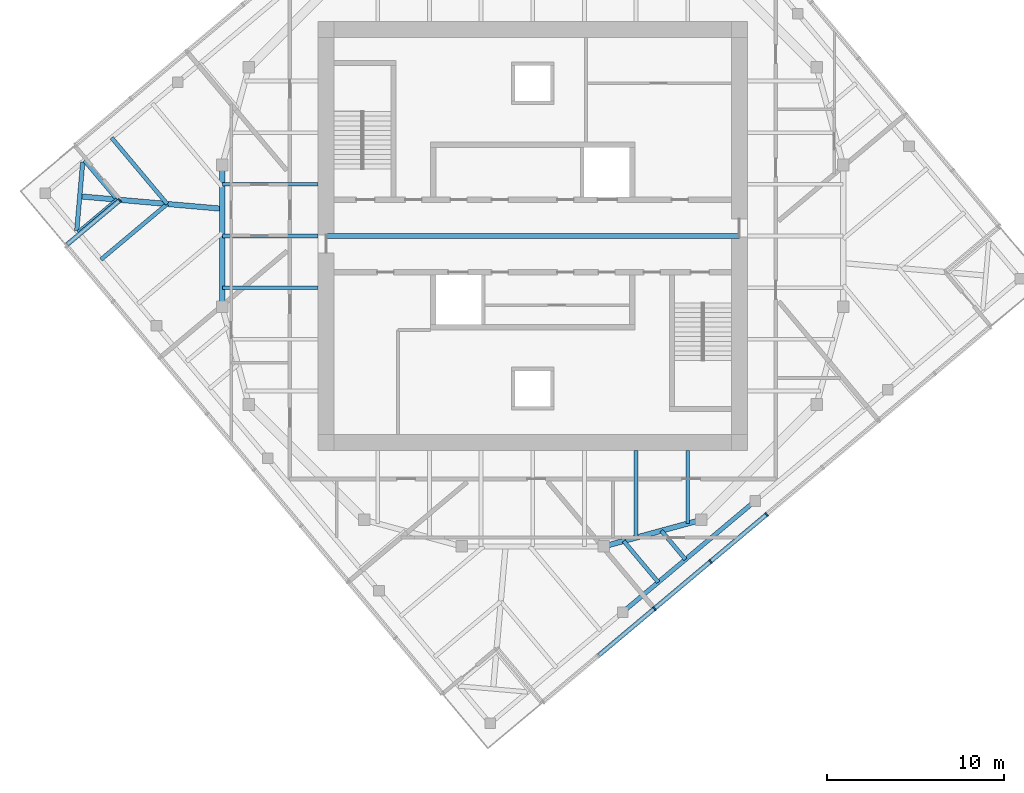
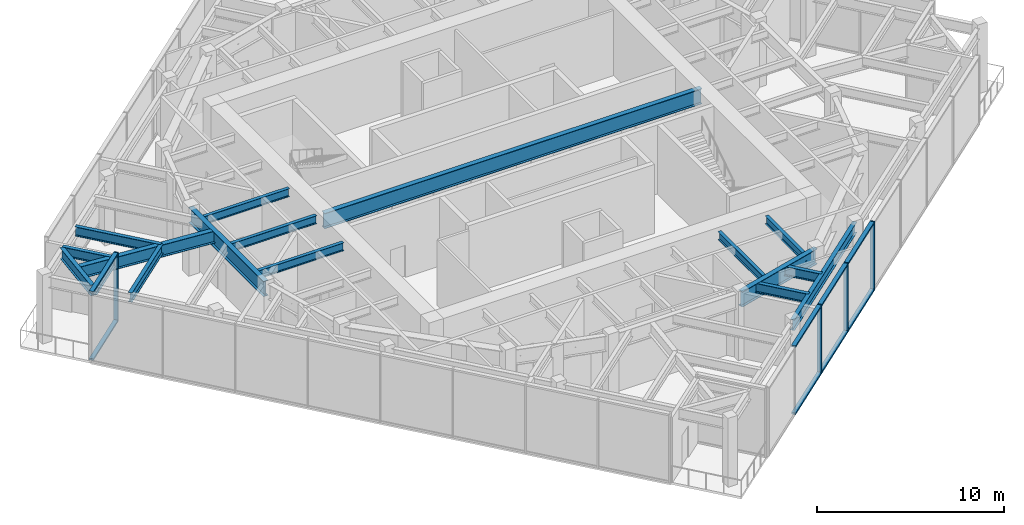
# One storey, part 3 of 11: 17 beams, 12 members, 2 elements without a shape of their own.
"""IFC4 building model written with IfcOpenShell, lengths in metres."""

from ifc_helpers import new_model, si_unit, direction, frame, origin, origin_2d, place, context, subcontext, project, spatial, rectangle, i_section, extrude, material, material_profile, profile_set, type_object, element, aggregate, save


model = new_model("IFC4")

# Units and contexts
model_context = context("Model", 3, precision=1e-05, world=origin(), true_north=direction((0.0, 1.0)))
body_context = subcontext(model_context, "Body", "Model", "MODEL_VIEW")
ifc_project = project(units=[si_unit("LENGTHUNIT", "METRE"), si_unit("AREAUNIT", "SQUARE_METRE"), si_unit("VOLUMEUNIT", "CUBIC_METRE"), si_unit("PLANEANGLEUNIT", "RADIAN"), si_unit("MASSUNIT", "GRAM", prefix="KILO")], contexts=[model_context])

# Site, building, storey
site_placement = place(None, origin())
site = spatial("IfcSite", under=ifc_project, at=site_placement, CompositionType="ELEMENT")
building_placement = place(site_placement, origin())
building = spatial("IfcBuilding", under=site, at=building_placement, Name="Torsade Residences", CompositionType="ELEMENT")
storey_placement = place(building_placement, frame((0.0, 0.0, 304.300048828125)))
storey = spatial("IfcBuildingStorey", under=building, at=storey_placement, Name="L84", CompositionType="ELEMENT", Elevation=304.300048828125)

# Beams
ifc_material_1 = material(Name="Steel grade 300", Category="steel")
ifc_material_profile_1 = material_profile(ifc_material_1, i_section(OverallWidth=0.300048828125, OverallDepth=0.800048828125, WebThickness=0.010009765625, FlangeThickness=0.02001953125, at=origin_2d()), Name="800WB146")
ifc_profile_set_1 = profile_set([ifc_material_profile_1], Name="Steel grade 300")
beam_type_1 = type_object("IfcBeamType", Name="CORNER GIRDER 800WB146", PredefinedType="BEAM", material=ifc_profile_set_1)
beam_1_placement = place(storey_placement, frame((14.46484375, 32.234130859375, 3.849853515625), z_axis=(0.996193191806, -0.087172957961, 0.0), x_axis=(0.087172957961, 0.996193191806, 0.0)))
element("IfcBeam", 1, at=beam_1_placement, inside=storey, type_object=beam_type_1, Name="Corner girder 13 RF", PredefinedType="BEAM", context=body_context, shape_type="SweptSolid", body=[
    extrude(i_section(OverallWidth=0.300048828125, OverallDepth=0.800048828125, WebThickness=0.010009765625, FlangeThickness=0.02001953125, at=origin_2d()), origin(), (0.0, 0.0, 1.0), 8.06591796875),
])
ifc_material_2 = material(Name="Steel grade 300", Category="steel")
ifc_material_profile_2 = material_profile(ifc_material_2, i_section(OverallWidth=0.25, OverallDepth=0.699951171875, WebThickness=0.010009765625, FlangeThickness=0.02001953125, at=origin_2d()), Name="700WB130")
ifc_profile_set_2 = profile_set([ifc_material_profile_2], Name="Steel grade 300")
beam_type_2 = type_object("IfcBeamType", Name="CORNER TRIMMER 700WB130", PredefinedType="BEAM", material=ifc_profile_set_2)
beam_2_placement = place(storey_placement, frame((14.29541015625, 30.296875, 3.89990234375), z_axis=(0.087133464362, 0.996196646947, 0.0), x_axis=(-0.996196646947, 0.087133464362, 0.0)))
element("IfcBeam", 2, at=beam_2_placement, inside=storey, type_object=beam_type_2, Name="Corner trimmer 13 RF", PredefinedType="BEAM", context=body_context, shape_type="SweptSolid", body=[
    extrude(i_section(OverallWidth=0.25, OverallDepth=0.699951171875, WebThickness=0.010009765625, FlangeThickness=0.02001953125, at=origin_2d()), origin(), (0.0, 0.0, 1.0), 3.88916015625),
])
ifc_material_3 = material(Name="Steel grade 300", Category="steel")
ifc_material_profile_3 = material_profile(ifc_material_3, i_section(OverallWidth=0.25, OverallDepth=0.699951171875, WebThickness=0.010009765625, FlangeThickness=0.02001953125, at=origin_2d()), Name="700WB130")
ifc_profile_set_3 = profile_set([ifc_material_profile_3], Name="Steel grade 300")
beam_type_3 = type_object("IfcBeamType", Name="EDGE BEAM 700WB130", PredefinedType="SPANDREL", material=ifc_profile_set_3)
beam_3_placement = place(storey_placement, frame((45.0654296875, 8.794921875, 3.89990234375), z_axis=(0.766051532934, 0.642779160279, 0.0), x_axis=(-0.642779160279, 0.766051532934, 0.0)))
element("IfcBeam", 3, at=beam_3_placement, inside=storey, type_object=beam_type_3, Name="Edge beam 02 RF", PredefinedType="SPANDREL", context=body_context, shape_type="SweptSolid", body=[
    extrude(i_section(OverallWidth=0.25, OverallDepth=0.699951171875, WebThickness=0.010009765625, FlangeThickness=0.02001953125, at=origin_2d()), origin(), (0.0, 0.0, 1.0), 9.75),
])
ifc_material_4 = material(Name="Steel grade 300", Category="steel")
ifc_material_profile_4 = material_profile(ifc_material_4, i_section(OverallWidth=0.208984375, OverallDepth=0.528076171875, WebThickness=0.009521484375, FlangeThickness=0.01318359375, FilletRadius=0.013916015625, at=origin_2d()), Name="530UB82.0")
ifc_profile_set_4 = profile_set([ifc_material_profile_4], Name="Steel grade 300")
beam_type_4 = type_object("IfcBeamType", Name="INNER FLOOR BEAM 530UB82.0", PredefinedType="JOIST", material=ifc_profile_set_4)
beam_4_placement = place(storey_placement, frame((48.737548828125, 17.89990234375, 3.98583984375), z_axis=(0.0, -1.0, 0.0), x_axis=(1.0, 0.0, 0.0)))
element("IfcBeam", 4, at=beam_4_placement, inside=storey, type_object=beam_type_4, Name="Inner floor beam IS01 RF", PredefinedType="JOIST", context=body_context, shape_type="SweptSolid", body=[
    extrude(i_section(OverallWidth=0.208984375, OverallDepth=0.528076171875, WebThickness=0.009521484375, FlangeThickness=0.01318359375, FilletRadius=0.013916015625, at=origin_2d()), origin(), (0.0, 0.0, 1.0), 4.10791015625),
])
beam_5_placement = place(storey_placement, frame((45.824951171875, 17.89990234375, 3.98583984375), z_axis=(0.0, -1.0, 0.0), x_axis=(1.0, 0.0, 0.0)))
element("IfcBeam", 5, at=beam_5_placement, inside=storey, type_object=beam_type_4, Name="Inner floor beam IS02 RF", PredefinedType="JOIST", context=body_context, shape_type="SweptSolid", body=[
    extrude(i_section(OverallWidth=0.208984375, OverallDepth=0.528076171875, WebThickness=0.009521484375, FlangeThickness=0.01318359375, FilletRadius=0.013916015625, at=origin_2d()), origin(), (0.0, 0.0, 1.0), 4.902099609375),
])
for number, where, z_axis, x_axis, name in (
    (6, (27.89990234375, 32.91259765625, 3.98583984375), (-1.0, 0.0, 0.0), (0.0, -1.0, 0.0), "Inner floor beam IW03 RF"),
    (7, (27.89990234375, 30.0, 3.98583984375), (-1.0, 0.0, 0.0), (0.0, -1.0, 0.0), "Inner floor beam IW04 RF"),
    (8, (27.89990234375, 27.08740234375, 3.98583984375), (-1.0, 0.0, 0.0), (0.0, -1.0, 0.0), "Inner floor beam IW05 RF"),
):
    element("IfcBeam", number, at=place(storey_placement, frame(where, z_axis=z_axis, x_axis=x_axis)), inside=storey, type_object=beam_type_4, Name=name, PredefinedType="JOIST", context=body_context, shape_type="SweptSolid", body=[
        extrude(i_section(OverallWidth=0.208984375, OverallDepth=0.528076171875, WebThickness=0.009521484375, FlangeThickness=0.01318359375, FilletRadius=0.013916015625, at=origin_2d()), origin(), (0.0, 0.0, 1.0), 5.39990234375),
    ])

# Curtain wall, members
ifc_material_5 = material(Name="Aluminium and glass", Category="aluminium")
curtain_wall_type = type_object("IfcCurtainWallType", Name="PLANT LEVEL LOUVRED CURTAIN WALL", PredefinedType="NOTDEFINED", material=ifc_material_5)
curtain_wall_1_placement = place(storey_placement, origin())
curtain_wall_1 = element("IfcCurtainWall", 9, at=curtain_wall_1_placement, inside=storey, type_object=curtain_wall_type, Name="Curtain wall L84 face 1", PredefinedType="NOTDEFINED")
ifc_material_6 = material(Name="Aluminium mullion", Category="aluminium")
ifc_material_profile_5 = material_profile(ifc_material_6, rectangle(XDim=0.25, YDim=0.080078125, at=origin_2d()), Name="LOUVRE WALL MULLION 250x80")
ifc_profile_set_5 = profile_set([ifc_material_profile_5], Name="Aluminium mullion")
member_type_1 = type_object("IfcMemberType", Name="LOUVRE WALL MULLION 250x80", PredefinedType="MULLION", material=ifc_profile_set_5)
member_1_placement = place(storey_placement, frame((46.857177734375, 8.9931640625, 0.0), z_axis=(0.0, 0.0, 1.0), x_axis=(-0.642787616853, 0.766044437106, 0.0)))
member_1 = element("IfcMember", 10, at=member_1_placement, type_object=member_type_1, Name="Mullion 3", PredefinedType="MULLION", context=body_context, shape_type="SweptSolid", body=[
    extrude(rectangle(XDim=0.25, YDim=0.080078125, at=origin_2d()), origin(), (0.0, 0.0, 1.0), 4.5),
])
member_2_placement = place(storey_placement, frame((50.017333984375, 11.64453125, 0.0), z_axis=(0.0, 0.0, 1.0), x_axis=(-0.642787616853, 0.766044437106, 0.0)))
member_2 = element("IfcMember", 11, at=member_2_placement, type_object=member_type_1, Name="Mullion 4", PredefinedType="MULLION", context=body_context, shape_type="SweptSolid", body=[
    extrude(rectangle(XDim=0.25, YDim=0.080078125, at=origin_2d()), origin(), (0.0, 0.0, 1.0), 4.5),
])
member_3_placement = place(storey_placement, frame((53.17724609375, 14.296142578125, 0.0), z_axis=(0.0, 0.0, 1.0), x_axis=(-0.642787616853, 0.766044437106, 0.0)))
member_3 = element("IfcMember", 12, at=member_3_placement, type_object=member_type_1, Name="Mullion 5", PredefinedType="MULLION", context=body_context, shape_type="SweptSolid", body=[
    extrude(rectangle(XDim=0.25, YDim=0.080078125, at=origin_2d()), origin(), (0.0, 0.0, 1.0), 4.5),
])

# Curtain wall, member
curtain_wall_2_placement = place(storey_placement, origin())
curtain_wall_2 = element("IfcCurtainWall", 13, at=curtain_wall_2_placement, inside=storey, type_object=curtain_wall_type, Name="Curtain wall L84 face 9", PredefinedType="NOTDEFINED")
member_4_placement = place(storey_placement, frame((16.7236328125, 32.008056640625, 0.0), z_axis=(0.0, 0.0, 1.0), x_axis=(0.642787664022, -0.766044397526, 0.0)))
member_4 = element("IfcMember", 14, at=member_4_placement, type_object=member_type_1, Name="Mullion 1", PredefinedType="MULLION", context=body_context, shape_type="SweptSolid", body=[
    extrude(rectangle(XDim=0.25, YDim=0.080078125, at=origin_2d()), origin(), (0.0, 0.0, 1.0), 4.5),
])

# Member
ifc_material_7 = material(Name="Aluminium transom", Category="aluminium")
ifc_material_profile_6 = material_profile(ifc_material_7, rectangle(XDim=0.25, YDim=0.110107421875, at=origin_2d()), Name="LOUVRE WALL TRANSOM 250x110")
ifc_profile_set_6 = profile_set([ifc_material_profile_6], Name="Aluminium transom")
member_type_2 = type_object("IfcMemberType", Name="LOUVRE WALL TRANSOM 250x110", PredefinedType="USERDEFINED", material=ifc_profile_set_6)
member_5_placement = place(storey_placement, frame((43.72802734375, 6.3671875, 0.054931640625), z_axis=(0.766040060023, 0.642792833221, 0.0), x_axis=(-0.642792833221, 0.766040060023, 0.0)))
member_5 = element("IfcMember", 15, at=member_5_placement, type_object=member_type_2, Name="Transom 2.1", ObjectType="TRANSOM", PredefinedType="USERDEFINED", context=body_context, shape_type="SweptSolid", body=[
    extrude(rectangle(XDim=0.25, YDim=0.110107421875, at=origin_2d()), origin(), (0.0, 0.0, 1.0), 4.044921875),
])

member_6_placement = place(storey_placement, frame((43.72802734375, 6.3671875, 4.445068359375), z_axis=(0.766040060023, 0.642792833221, 0.0), x_axis=(-0.642792833221, 0.766040060023, 0.0)))
member_6 = element("IfcMember", 16, at=member_6_placement, type_object=member_type_2, Name="Transom 2.2", ObjectType="TRANSOM", PredefinedType="USERDEFINED", context=body_context, shape_type="SweptSolid", body=[
    extrude(rectangle(XDim=0.25, YDim=0.110107421875, at=origin_2d()), origin(), (0.0, 0.0, 1.0), 4.044921875),
])

member_7_placement = place(storey_placement, frame((46.887939453125, 9.018798828125, 0.054931640625), z_axis=(0.766040060023, 0.642792833221, 0.0), x_axis=(-0.642792833221, 0.766040060023, 0.0)))
member_7 = element("IfcMember", 17, at=member_7_placement, type_object=member_type_2, Name="Transom 3.1", ObjectType="TRANSOM", PredefinedType="USERDEFINED", context=body_context, shape_type="SweptSolid", body=[
    extrude(rectangle(XDim=0.25, YDim=0.110107421875, at=origin_2d()), origin(), (0.0, 0.0, 1.0), 4.044921875),
])

member_8_placement = place(storey_placement, frame((46.887939453125, 9.018798828125, 4.445068359375), z_axis=(0.766040060023, 0.642792833221, 0.0), x_axis=(-0.642792833221, 0.766040060023, 0.0)))
member_8 = element("IfcMember", 18, at=member_8_placement, type_object=member_type_2, Name="Transom 3.2", ObjectType="TRANSOM", PredefinedType="USERDEFINED", context=body_context, shape_type="SweptSolid", body=[
    extrude(rectangle(XDim=0.25, YDim=0.110107421875, at=origin_2d()), origin(), (0.0, 0.0, 1.0), 4.044921875),
])

member_9_placement = place(storey_placement, frame((50.0478515625, 11.67041015625, 0.054931640625), z_axis=(0.766069780023, 0.642757413132, 0.0), x_axis=(-0.642757413132, 0.766069780023, 0.0)))
member_9 = element("IfcMember", 19, at=member_9_placement, type_object=member_type_2, Name="Transom 4.1", ObjectType="TRANSOM", PredefinedType="USERDEFINED", context=body_context, shape_type="SweptSolid", body=[
    extrude(rectangle(XDim=0.25, YDim=0.110107421875, at=origin_2d()), origin(), (0.0, 0.0, 1.0), 4.044921875),
])

member_10_placement = place(storey_placement, frame((50.0478515625, 11.67041015625, 4.445068359375), z_axis=(0.766069780023, 0.642757413132, 0.0), x_axis=(-0.642757413132, 0.766069780023, 0.0)))
member_10 = element("IfcMember", 20, at=member_10_placement, type_object=member_type_2, Name="Transom 4.2", ObjectType="TRANSOM", PredefinedType="USERDEFINED", context=body_context, shape_type="SweptSolid", body=[
    extrude(rectangle(XDim=0.25, YDim=0.110107421875, at=origin_2d()), origin(), (0.0, 0.0, 1.0), 4.044921875),
])

aggregate(curtain_wall_1, [member_1, member_2, member_3, member_5, member_6, member_7, member_8, member_9, member_10])

member_11_placement = place(storey_placement, frame((16.69287109375, 31.982421875, 0.054931640625), z_axis=(-0.765996615953, -0.642844603577, 0.0), x_axis=(0.642844603577, -0.765996615953, 0.0)))
member_11 = element("IfcMember", 21, at=member_11_placement, type_object=member_type_2, Name="Transom 1.1", ObjectType="TRANSOM", PredefinedType="USERDEFINED", context=body_context, shape_type="SweptSolid", body=[
    extrude(rectangle(XDim=0.25, YDim=0.110107421875, at=origin_2d()), origin(), (0.0, 0.0, 1.0), 3.840087890625),
])

member_12_placement = place(storey_placement, frame((16.69287109375, 31.982421875, 4.445068359375), z_axis=(-0.765996615953, -0.642844603577, 0.0), x_axis=(0.642844603577, -0.765996615953, 0.0)))
member_12 = element("IfcMember", 22, at=member_12_placement, type_object=member_type_2, Name="Transom 1.2", ObjectType="TRANSOM", PredefinedType="USERDEFINED", context=body_context, shape_type="SweptSolid", body=[
    extrude(rectangle(XDim=0.25, YDim=0.110107421875, at=origin_2d()), origin(), (0.0, 0.0, 1.0), 3.840087890625),
])

aggregate(curtain_wall_2, [member_4, member_11, member_12])

# Beams
ifc_material_8 = material(Name="Steel grade 300", Category="steel")
ifc_material_profile_7 = material_profile(ifc_material_8, i_section(OverallWidth=0.300048828125, OverallDepth=1.0, WebThickness=0.01611328125, FlangeThickness=0.028076171875, at=origin_2d()), Name="1000WB215")
ifc_profile_set_7 = profile_set([ifc_material_profile_7], Name="Steel grade 300")
beam_type_5 = type_object("IfcBeamType", Name="RING GIRDER 1000WB215", PredefinedType="BEAM", material=ifc_profile_set_7)
beam_6_placement = place(storey_placement, frame((22.5, 34.0, 3.75), z_axis=(0.0, -1.0, 0.0), x_axis=(1.0, 0.0, 0.0)))
element("IfcBeam", 23, at=beam_6_placement, inside=storey, type_object=beam_type_5, Name="Ring girder IR09 RF", PredefinedType="BEAM", context=body_context, shape_type="SweptSolid", body=[
    extrude(i_section(OverallWidth=0.300048828125, OverallDepth=1.0, WebThickness=0.01611328125, FlangeThickness=0.028076171875, at=origin_2d()), origin(), (0.0, 0.0, 1.0), 8.0),
])
beam_7_placement = place(storey_placement, frame((44.0, 12.5, 3.75), z_axis=(0.964763821238, 0.263117405792, 0.0), x_axis=(-0.263117405792, 0.964763821238, 0.0)))
element("IfcBeam", 24, at=beam_7_placement, inside=storey, type_object=beam_type_5, Name="Ring girder IR14 RF", PredefinedType="BEAM", context=body_context, shape_type="SweptSolid", body=[
    extrude(i_section(OverallWidth=0.300048828125, OverallDepth=1.0, WebThickness=0.01611328125, FlangeThickness=0.028076171875, at=origin_2d()), origin(), (0.0, 0.0, 1.0), 5.700927734375),
])
ifc_material_9 = material(Name="Steel grade 300", Category="steel")
ifc_material_profile_8 = material_profile(ifc_material_9, i_section(OverallWidth=0.22900390625, OverallDepth=0.612060546875, WebThickness=0.011962890625, FlangeThickness=0.01953125, FilletRadius=0.013916015625, at=origin_2d()), Name="610UB125")
ifc_profile_set_8 = profile_set([ifc_material_profile_8], Name="Steel grade 300")
beam_type_6 = type_object("IfcBeamType", Name="SECONDARY BEAM 610UB125", PredefinedType="JOIST", material=ifc_profile_set_8)
beam_8_placement = place(storey_placement, frame((47.076171875, 10.482177734375, 3.94384765625), z_axis=(-0.64274480196, 0.766080361029, 0.0), x_axis=(-0.766080361029, -0.64274480196, 0.0)))
element("IfcBeam", 25, at=beam_8_placement, inside=storey, type_object=beam_type_6, Name="Floor beam FS04 RF", PredefinedType="JOIST", context=body_context, shape_type="SweptSolid", body=[
    extrude(i_section(OverallWidth=0.22900390625, OverallDepth=0.612060546875, WebThickness=0.011962890625, FlangeThickness=0.01953125, FilletRadius=0.013916015625, at=origin_2d()), origin(), (0.0, 0.0, 1.0), 3.03466796875),
])
beam_9_placement = place(storey_placement, frame((48.6083984375, 11.767822265625, 3.94384765625), z_axis=(-0.642771977004, 0.766057560226, 0.0), x_axis=(-0.766057560226, -0.642771977004, 0.0)))
element("IfcBeam", 26, at=beam_9_placement, inside=storey, type_object=beam_type_6, Name="Floor beam FS05 RF", PredefinedType="JOIST", context=body_context, shape_type="SweptSolid", body=[
    extrude(i_section(OverallWidth=0.22900390625, OverallDepth=0.612060546875, WebThickness=0.011962890625, FlangeThickness=0.01953125, FilletRadius=0.013916015625, at=origin_2d()), origin(), (0.0, 0.0, 1.0), 2.113037109375),
])
beam_10_placement = place(storey_placement, frame((16.26220703125, 35.537109375, 3.94384765625), z_axis=(0.642791490223, -0.766041186946, 0.0), x_axis=(0.766041186946, 0.642791490223, 0.0)))
element("IfcBeam", 27, at=beam_10_placement, inside=storey, type_object=beam_type_6, Name="Floor beam FN11 RF", PredefinedType="JOIST", context=body_context, shape_type="SweptSolid", body=[
    extrude(i_section(OverallWidth=0.22900390625, OverallDepth=0.612060546875, WebThickness=0.011962890625, FlangeThickness=0.01953125, FilletRadius=0.013916015625, at=origin_2d()), origin(), (0.0, 0.0, 1.0), 4.875),
])
for number, where, z_axis, x_axis, name in (
    (28, (14.730224609375, 34.25146484375, 3.94384765625), (0.642761807001, -0.766066093402, 0.0), (0.766066093402, 0.642761807001, 0.0), "Floor beam FN12 RF"),
    (29, (14.375732421875, 30.201171875, 3.94384765625), (0.766066093402, 0.642761807001, 0.0), (-0.642761807001, 0.766066093402, 0.0), "Floor beam FW01 RF"),
):
    element("IfcBeam", number, at=place(storey_placement, frame(where, z_axis=z_axis, x_axis=x_axis)), inside=storey, type_object=beam_type_6, Name=name, PredefinedType="JOIST", context=body_context, shape_type="SweptSolid", body=[
        extrude(i_section(OverallWidth=0.22900390625, OverallDepth=0.612060546875, WebThickness=0.011962890625, FlangeThickness=0.01953125, FilletRadius=0.013916015625, at=origin_2d()), origin(), (0.0, 0.0, 1.0), 2.875),
    ])
beam_11_placement = place(storey_placement, frame((15.661376953125, 28.6689453125, 3.94384765625), z_axis=(0.766016526982, 0.642820877376, 0.0), x_axis=(-0.642820877376, 0.766016526982, 0.0)))
element("IfcBeam", 30, at=beam_11_placement, inside=storey, type_object=beam_type_6, Name="Floor beam FW02 RF", PredefinedType="JOIST", context=body_context, shape_type="SweptSolid", body=[
    extrude(i_section(OverallWidth=0.22900390625, OverallDepth=0.612060546875, WebThickness=0.011962890625, FlangeThickness=0.01953125, FilletRadius=0.013916015625, at=origin_2d()), origin(), (0.0, 0.0, 1.0), 4.875),
])
ifc_material_10 = material(Name="Steel grade 300", Category="steel")
ifc_material_profile_9 = material_profile(ifc_material_10, i_section(OverallWidth=0.300048828125, OverallDepth=1.0, WebThickness=0.01611328125, FlangeThickness=0.028076171875, at=origin_2d()), Name="1000WB215")
ifc_profile_set_9 = profile_set([ifc_material_profile_9], Name="Steel grade 300")
beam_type_7 = type_object("IfcBeamType", Name="SPIRE GRILLAGE GIRDER 1000WB215", PredefinedType="BEAM", material=ifc_profile_set_9)
beam_12_placement = place(storey_placement, frame((28.35009765625, 30.0, 3.75), z_axis=(1.0, 0.0, 0.0), x_axis=(0.0, 1.0, 0.0)))
element("IfcBeam", 31, at=beam_12_placement, inside=storey, type_object=beam_type_7, Name="Spire grillage girder", PredefinedType="BEAM", context=body_context, shape_type="SweptSolid", body=[
    extrude(i_section(OverallWidth=0.300048828125, OverallDepth=1.0, WebThickness=0.01611328125, FlangeThickness=0.028076171875, at=origin_2d()), origin(), (0.0, 0.0, 1.0), 23.2998046875),
])

save(model, "model.ifc")
